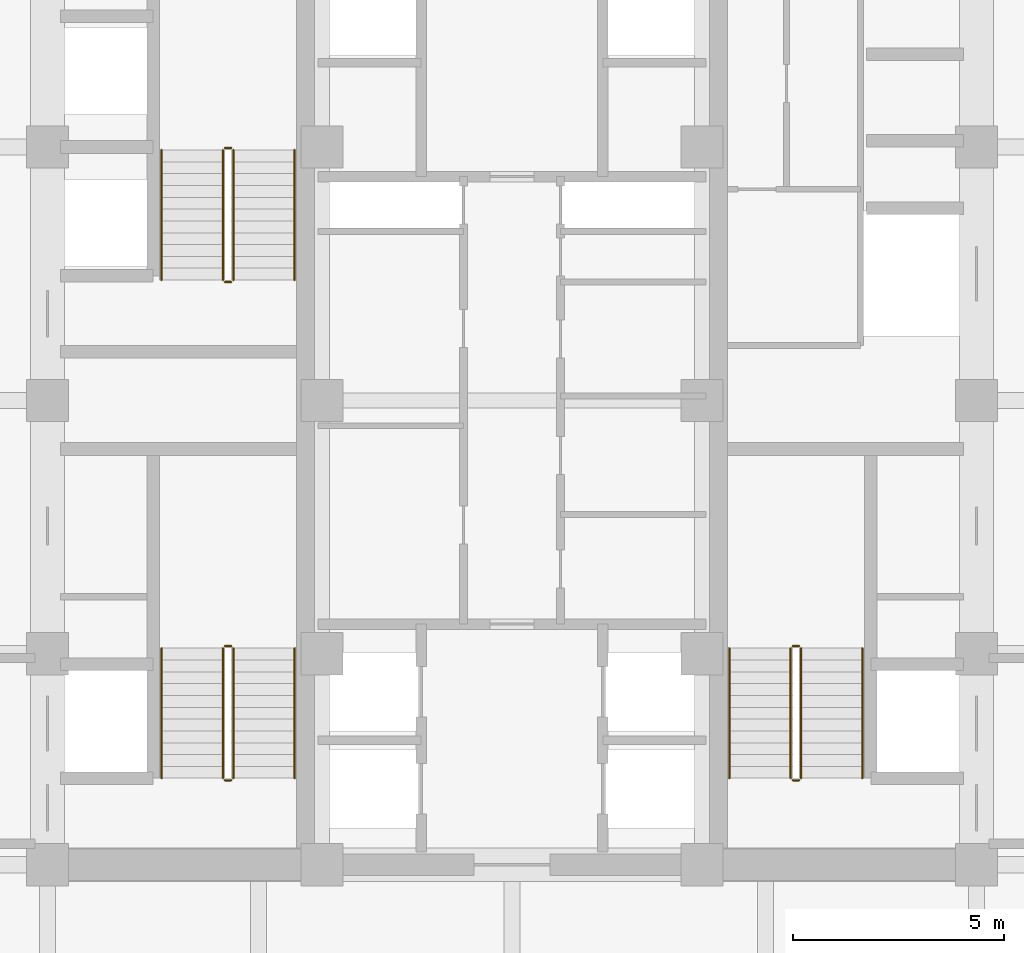
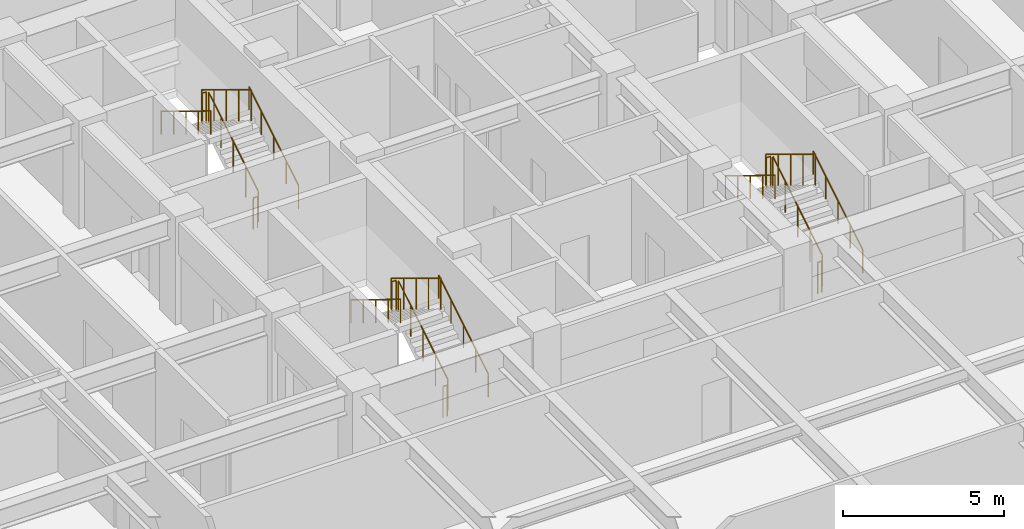
# One storey, part 28 of 28: 18 railings.
"""IFC4 building model written with IfcOpenShell, lengths in metres."""

from ifc_helpers import new_model, si_unit, direction, frame, origin, origin_2d, place, context, subcontext, project, spatial, circle, extrude, source, transform, mapped, material, type_object, element, save


model = new_model("IFC4")

# Units and contexts
model_context = context("Model", 3, precision=1e-05, world=origin(), true_north=direction((0.0, 1.0)))
body_context = subcontext(model_context, "Body", "Model", "MODEL_VIEW")
ifc_project = project(units=[si_unit("LENGTHUNIT", "METRE"), si_unit("AREAUNIT", "SQUARE_METRE"), si_unit("VOLUMEUNIT", "CUBIC_METRE"), si_unit("PLANEANGLEUNIT", "RADIAN"), si_unit("MASSUNIT", "GRAM", prefix="KILO")], contexts=[model_context])

# Site, building, storey
site_placement = place(None, origin())
site = spatial("IfcSite", under=ifc_project, at=site_placement, CompositionType="ELEMENT")
building_placement = place(site_placement, origin())
building = spatial("IfcBuilding", under=site, at=building_placement, Name="Khorayat Bourse Tower", CompositionType="ELEMENT")
storey_placement = place(building_placement, frame((0.0, 0.0, 124.199951171875)))
storey = spatial("IfcBuildingStorey", under=building, at=storey_placement, Name="L28", CompositionType="ELEMENT", Elevation=124.199951171875)

# Railings
ifc_material_1 = material(Name="Powder-coated steel balustrade", Category="steel")
railing_type_1 = type_object("IfcRailingType", Name="RLG-GUARD-1200", PredefinedType="GUARDRAIL", material=ifc_material_1)
shared_shape_1 = source(origin(), body_context, "Body", "SweptSolid", [
    extrude(circle(Radius=0.02392578125, at=origin_2d()), frame((0.0, 0.0, 1.17578125), z_axis=(-1.0, 0.0, 0.0), x_axis=(0.0, -1.0, 0.0)), (0.0, 0.0, 1.0), 0.150146484375),
    extrude(circle(Radius=0.02099609375, at=origin_2d()), origin(), (0.0, 0.0, 1.0), 1.15185546875),
    extrude(circle(Radius=0.02099609375, at=origin_2d()), frame((-0.150146484375, 0.0, 0.0)), (0.0, 0.0, 1.0), 1.15185546875),
])
for number, where, name in (
    (1, (-6.64990234375, -5.820068359375, 2.050048828125), "L28 ST-1 stair guard 2"),
    (2, (-6.64990234375, -9.0, 0.0), "L28 ST-1 stair guard 4"),
    (3, (-6.64990234375, 5.97998046875, 2.050048828125), "L28 ST-2 stair guard 2"),
    (4, (-6.64990234375, 2.800048828125, 0.0), "L28 ST-2 stair guard 4"),
    (5, (6.800048828125, -5.820068359375, 2.050048828125), "L28 ST-3 stair guard 2"),
    (6, (6.800048828125, -9.0, 0.0), "L28 ST-3 stair guard 4"),
):
    element("IfcRailing", number, at=place(storey_placement, frame(where)), inside=storey, type_object=railing_type_1, Name=name, PredefinedType="GUARDRAIL", context=body_context, shape_type="MappedRepresentation", body=[
        mapped(shared_shape_1, transform((0.0, 0.0, 0.0), scale=1.0)),
    ])
shared_shape_2 = source(origin(), body_context, "Body", "SweptSolid", [
    extrude(circle(Radius=0.02392578125, at=origin_2d()), frame((0.0, 0.0, 1.17578125), z_axis=(0.0, 0.853647949592, 0.520850437417), x_axis=(-1.0, 0.0, 0.0)), (0.0, 0.0, 1.0), 3.60791015625),
    extrude(circle(Radius=0.02099609375, at=origin_2d()), origin(), (0.0, 0.0, 1.0), 1.15185546875),
    extrude(circle(Radius=0.02099609375, at=origin_2d()), frame((0.0, 0.77001953125, 0.4697265625)), (0.0, 0.0, 1.0), 1.15185546875),
    extrude(circle(Radius=0.02099609375, at=origin_2d()), frame((0.0, 1.5400390625, 0.939453125)), (0.0, 0.0, 1.0), 1.15185546875),
    extrude(circle(Radius=0.02099609375, at=origin_2d()), frame((0.0, 2.309814453125, 1.409423828125)), (0.0, 0.0, 1.0), 1.15185546875),
    extrude(circle(Radius=0.02099609375, at=origin_2d()), frame((0.0, 3.079833984375, 1.879150390625)), (0.0, 0.0, 1.0), 1.15185546875),
])
for number, where, name in (
    (7, (-6.60009765625, -8.949951171875, 0.1708984375), "L28 ST-1 stair guard 1"),
    (8, (-6.60009765625, 2.85009765625, 0.1708984375), "L28 ST-2 stair guard 1"),
    (9, (6.85009765625, -8.949951171875, 0.1708984375), "L28 ST-3 stair guard 1"),
):
    element("IfcRailing", number, at=place(storey_placement, frame(where)), inside=storey, type_object=railing_type_1, Name=name, PredefinedType="GUARDRAIL", context=body_context, shape_type="MappedRepresentation", body=[
        mapped(shared_shape_2, transform((0.0, 0.0, 0.0), scale=1.0)),
    ])
shared_shape_3 = source(origin(), body_context, "Body", "SweptSolid", [
    extrude(circle(Radius=0.02392578125, at=origin_2d()), frame((0.0, 0.0, 1.17578125), z_axis=(0.0, -0.853647949592, 0.520850437417), x_axis=(1.0, 0.0, 0.0)), (0.0, 0.0, 1.0), 3.60791015625),
    extrude(circle(Radius=0.02099609375, at=origin_2d()), origin(), (0.0, 0.0, 1.0), 1.15185546875),
    extrude(circle(Radius=0.02099609375, at=origin_2d()), frame((0.0, -0.77001953125, 0.4697265625)), (0.0, 0.0, 1.0), 1.15185546875),
    extrude(circle(Radius=0.02099609375, at=origin_2d()), frame((0.0, -1.5400390625, 0.939453125)), (0.0, 0.0, 1.0), 1.15185546875),
    extrude(circle(Radius=0.02099609375, at=origin_2d()), frame((0.0, -2.309814453125, 1.409423828125)), (0.0, 0.0, 1.0), 1.15185546875),
    extrude(circle(Radius=0.02099609375, at=origin_2d()), frame((0.0, -3.079833984375, 1.879150390625)), (0.0, 0.0, 1.0), 1.15185546875),
])
for number, where, name in (
    (10, (-6.85009765625, -5.8701171875, 2.220947265625), "L28 ST-1 stair guard 3"),
    (11, (-6.85009765625, 5.929931640625, 2.220947265625), "L28 ST-2 stair guard 3"),
    (12, (6.60009765625, -5.8701171875, 2.220947265625), "L28 ST-3 stair guard 3"),
):
    element("IfcRailing", number, at=place(storey_placement, frame(where)), inside=storey, type_object=railing_type_1, Name=name, PredefinedType="GUARDRAIL", context=body_context, shape_type="MappedRepresentation", body=[
        mapped(shared_shape_3, transform((0.0, 0.0, 0.0), scale=1.0)),
    ])
ifc_material_2 = material(Name="Brushed bronze stainless-steel handrail", Category="steel")
railing_type_2 = type_object("IfcRailingType", Name="RLG-HAND-900", PredefinedType="HANDRAIL", material=ifc_material_2)
shared_shape_4 = source(origin(), body_context, "Body", "SweptSolid", [
    extrude(circle(Radius=0.02392578125, at=origin_2d()), frame((0.0, 0.0, 0.8759765625), z_axis=(0.0, 0.853647949592, 0.520850437417), x_axis=(-1.0, 0.0, 0.0)), (0.0, 0.0, 1.0), 3.60791015625),
    extrude(circle(Radius=0.02099609375, at=origin_2d()), origin(), (0.0, 0.0, 1.0), 0.851806640625),
    extrude(circle(Radius=0.02099609375, at=origin_2d()), frame((0.0, 0.77001953125, 0.4697265625)), (0.0, 0.0, 1.0), 0.851806640625),
    extrude(circle(Radius=0.02099609375, at=origin_2d()), frame((0.0, 1.5400390625, 0.939453125)), (0.0, 0.0, 1.0), 0.851806640625),
    extrude(circle(Radius=0.02099609375, at=origin_2d()), frame((0.0, 2.309814453125, 1.409423828125)), (0.0, 0.0, 1.0), 0.851806640625),
    extrude(circle(Radius=0.02099609375, at=origin_2d()), frame((0.0, 3.079833984375, 1.879150390625)), (0.0, 0.0, 1.0), 0.851806640625),
])
for number, where, name in (
    (13, (-5.14990234375, -8.949951171875, 0.1708984375), "L28 ST-1 stair handrail 1"),
    (14, (-5.14990234375, 2.85009765625, 0.1708984375), "L28 ST-2 stair handrail 1"),
    (15, (8.300048828125, -8.949951171875, 0.1708984375), "L28 ST-3 stair handrail 1"),
):
    element("IfcRailing", number, at=place(storey_placement, frame(where)), inside=storey, type_object=railing_type_2, Name=name, PredefinedType="HANDRAIL", context=body_context, shape_type="MappedRepresentation", body=[
        mapped(shared_shape_4, transform((0.0, 0.0, 0.0), scale=1.0)),
    ])
shared_shape_5 = source(origin(), body_context, "Body", "SweptSolid", [
    extrude(circle(Radius=0.02392578125, at=origin_2d()), frame((0.0, 0.0, 0.8759765625), z_axis=(0.0, -0.853647949592, 0.520850437417), x_axis=(1.0, 0.0, 0.0)), (0.0, 0.0, 1.0), 3.60791015625),
    extrude(circle(Radius=0.02099609375, at=origin_2d()), origin(), (0.0, 0.0, 1.0), 0.851806640625),
    extrude(circle(Radius=0.02099609375, at=origin_2d()), frame((0.0, -0.77001953125, 0.4697265625)), (0.0, 0.0, 1.0), 0.851806640625),
    extrude(circle(Radius=0.02099609375, at=origin_2d()), frame((0.0, -1.5400390625, 0.939453125)), (0.0, 0.0, 1.0), 0.851806640625),
    extrude(circle(Radius=0.02099609375, at=origin_2d()), frame((0.0, -2.309814453125, 1.409423828125)), (0.0, 0.0, 1.0), 0.851806640625),
    extrude(circle(Radius=0.02099609375, at=origin_2d()), frame((0.0, -3.079833984375, 1.879150390625)), (0.0, 0.0, 1.0), 0.851806640625),
])
for number, where, name in (
    (16, (-8.300048828125, -5.8701171875, 2.220947265625), "L28 ST-1 stair handrail 2"),
    (17, (-8.300048828125, 5.929931640625, 2.220947265625), "L28 ST-2 stair handrail 2"),
    (18, (5.14990234375, -5.8701171875, 2.220947265625), "L28 ST-3 stair handrail 2"),
):
    element("IfcRailing", number, at=place(storey_placement, frame(where)), inside=storey, type_object=railing_type_2, Name=name, PredefinedType="HANDRAIL", context=body_context, shape_type="MappedRepresentation", body=[
        mapped(shared_shape_5, transform((0.0, 0.0, 0.0), scale=1.0)),
    ])

save(model, "model.ifc")
